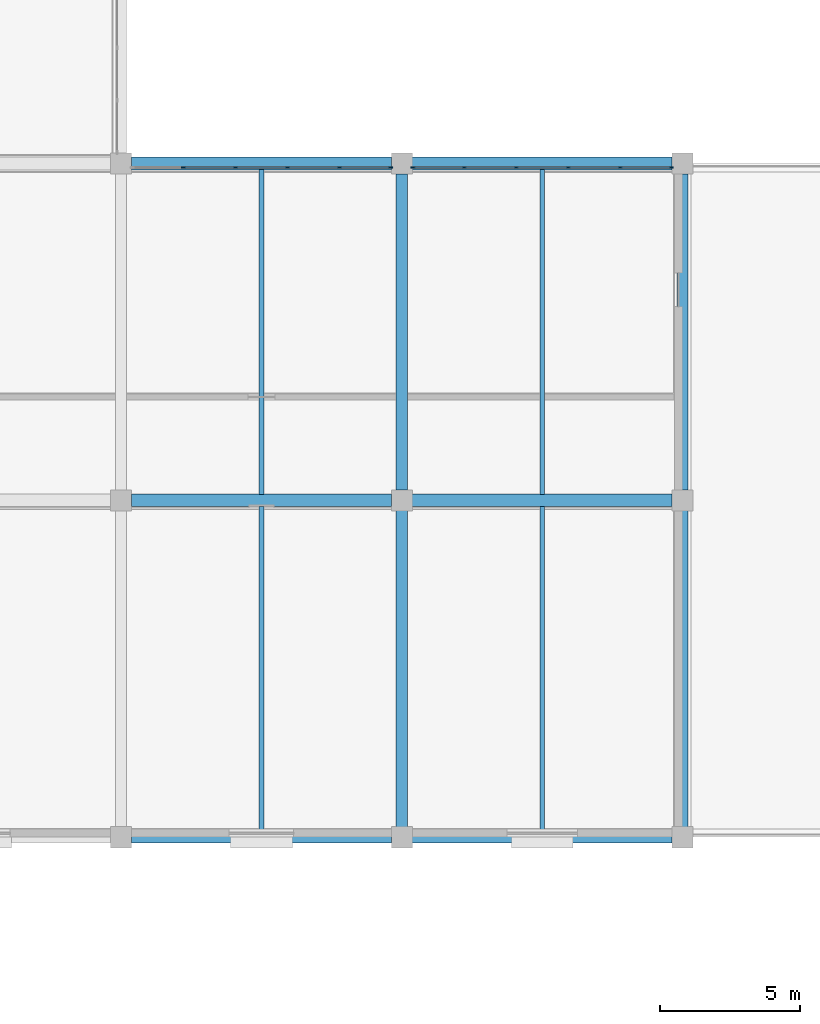
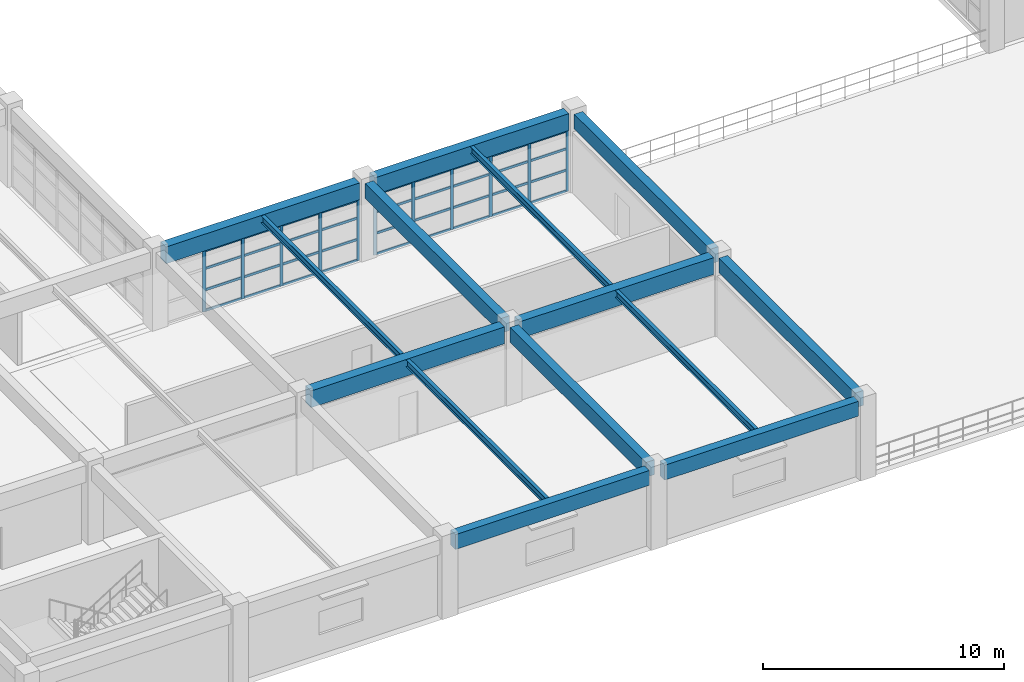
# One storey, part 35 of 83: 47 members, 14 beams, 2 elements without a shape of their own.
"""IFC4 building model written with IfcOpenShell, lengths in metres."""

from ifc_helpers import new_model, si_unit, direction, frame, origin, origin_2d, place, context, subcontext, project, spatial, rectangle, i_section, extrude, material, layer, layer_set, material_profile, profile_set, type_object, element, aggregate, save


model = new_model("IFC4")

# Units and contexts
model_context = context("Model", 3, precision=1e-05, world=origin(), true_north=direction((0.0, 1.0)))
body_context = subcontext(model_context, "Body", "Model", "MODEL_VIEW")
ifc_project = project(units=[si_unit("LENGTHUNIT", "METRE"), si_unit("AREAUNIT", "SQUARE_METRE"), si_unit("VOLUMEUNIT", "CUBIC_METRE"), si_unit("PLANEANGLEUNIT", "RADIAN"), si_unit("MASSUNIT", "GRAM", prefix="KILO")], contexts=[model_context])

# Site, building, storey
site_placement = place(None, origin())
site = spatial("IfcSite", under=ifc_project, at=site_placement, CompositionType="ELEMENT")
building_placement = place(site_placement, origin())
building = spatial("IfcBuilding", under=site, at=building_placement, Name="Kivolera Central Railway Station", CompositionType="ELEMENT")
storey_placement = place(building_placement, frame((0.0, 0.0, 14.39990234375)))
storey = spatial("IfcBuildingStorey", under=building, at=storey_placement, Name="L03", CompositionType="ELEMENT", Elevation=14.39990234375)

# Beams
ifc_material_1 = material(Name="Steel S355", Category="steel")
ifc_material_profile_1 = material_profile(ifc_material_1, i_section(OverallWidth=0.169921875, OverallDepth=0.360107421875, WebThickness=0.008056640625, FlangeThickness=0.0126953125, FilletRadius=0.01806640625, at=origin_2d()), Name="IPE 360")
ifc_profile_set_1 = profile_set([ifc_material_profile_1], Name="Steel S355")
beam_type_1 = type_object("IfcBeamType", Name="BM-JST-IPE360", PredefinedType="JOIST", material=ifc_profile_set_1)
beam_1_placement = place(storey_placement, frame((143.0, 54.19189453125, 3.748046875), z_axis=(0.0, 1.0, 0.0), x_axis=(-1.0, 0.0, 0.0)))
element("IfcBeam", 1, at=beam_1_placement, inside=storey, type_object=beam_type_1, Name="L03 Floor Joist 14-15/E-F", PredefinedType="JOIST", context=body_context, shape_type="SweptSolid", body=[
    extrude(i_section(OverallWidth=0.169921875, OverallDepth=0.360107421875, WebThickness=0.008056640625, FlangeThickness=0.0126953125, FilletRadius=0.01806640625, at=origin_2d()), origin(), (0.0, 0.0, 1.0), 11.591064453125),
])
beam_2_placement = place(storey_placement, frame((143.0, 66.217041015625, 3.748046875), z_axis=(0.0, 1.0, 0.0), x_axis=(-1.0, 0.0, 0.0)))
element("IfcBeam", 2, at=beam_2_placement, inside=storey, type_object=beam_type_1, Name="L03 Floor Joist 14-15/F-G", PredefinedType="JOIST", context=body_context, shape_type="SweptSolid", body=[
    extrude(i_section(OverallWidth=0.169921875, OverallDepth=0.360107421875, WebThickness=0.008056640625, FlangeThickness=0.0126953125, FilletRadius=0.01806640625, at=origin_2d()), origin(), (0.0, 0.0, 1.0), 11.56591796875),
])
beam_3_placement = place(storey_placement, frame((153.0, 54.19189453125, 3.748046875), z_axis=(0.0, 1.0, 0.0), x_axis=(-1.0, 0.0, 0.0)))
element("IfcBeam", 3, at=beam_3_placement, inside=storey, type_object=beam_type_1, Name="L03 Floor Joist 15-16/E-F", PredefinedType="JOIST", context=body_context, shape_type="SweptSolid", body=[
    extrude(i_section(OverallWidth=0.169921875, OverallDepth=0.360107421875, WebThickness=0.008056640625, FlangeThickness=0.0126953125, FilletRadius=0.01806640625, at=origin_2d()), origin(), (0.0, 0.0, 1.0), 11.591064453125),
])
beam_4_placement = place(storey_placement, frame((153.0, 66.217041015625, 3.748046875), z_axis=(0.0, 1.0, 0.0), x_axis=(-1.0, 0.0, 0.0)))
element("IfcBeam", 4, at=beam_4_placement, inside=storey, type_object=beam_type_1, Name="L03 Floor Joist 15-16/F-G", PredefinedType="JOIST", context=body_context, shape_type="SweptSolid", body=[
    extrude(i_section(OverallWidth=0.169921875, OverallDepth=0.360107421875, WebThickness=0.008056640625, FlangeThickness=0.0126953125, FilletRadius=0.01806640625, at=origin_2d()), origin(), (0.0, 0.0, 1.0), 11.56591796875),
])
ifc_material_2 = material(Name="Concrete C40/50", Category="concrete")
ifc_material_profile_2 = material_profile(ifc_material_2, rectangle(XDim=0.39990234375, YDim=0.75, at=origin_2d()), Name="RC 400x750")
ifc_profile_set_2 = profile_set([ifc_material_profile_2], Name="Concrete C40/50")
beam_type_2 = type_object("IfcBeamType", Name="BM-RC-400x750", PredefinedType="BEAM", material=ifc_profile_set_2)
for number, where, z_axis, x_axis, name in (
    (5, (148.0, 54.366943359375, 3.565185546875), (0.0, 1.0, 0.0), (-1.0, 0.0, 0.0), "L03 Wing Y-Beam 15:E-F"),
    (6, (148.0, 66.366943359375, 3.565185546875), (0.0, 1.0, 0.0), (-1.0, 0.0, 0.0), "L03 Wing Y-Beam 15:F-G"),
    (7, (158.0, 54.366943359375, 3.565185546875), (0.0, 1.0, 0.0), (-1.0, 0.0, 0.0), "L03 Wing Y-Beam 16:E-F"),
    (8, (158.0, 66.366943359375, 3.565185546875), (0.0, 1.0, 0.0), (-1.0, 0.0, 0.0), "L03 Wing Y-Beam 16:F-G"),
):
    element("IfcBeam", number, at=place(storey_placement, frame(where, z_axis=z_axis, x_axis=x_axis)), inside=storey, type_object=beam_type_2, Name=name, PredefinedType="BEAM", context=body_context, shape_type="SweptSolid", body=[
        extrude(rectangle(XDim=0.39990234375, YDim=0.75, at=origin_2d()), origin(), (0.0, 0.0, 1.0), 11.26611328125),
    ])
ifc_material_profile_3 = material_profile(ifc_material_2, rectangle(XDim=0.449951171875, YDim=0.85009765625, at=origin_2d()), Name="RC 450x850")
ifc_profile_set_3 = profile_set([ifc_material_profile_3], Name="Concrete C40/50")
beam_type_3 = type_object("IfcBeamType", Name="BM-RC-450x850", PredefinedType="BEAM", material=ifc_profile_set_3)
for number, where, z_axis, x_axis, name in (
    (9, (138.366943359375, 66.0, 3.51513671875), (1.0, 0.0, 0.0), (0.0, 1.0, 0.0), "L03 Wing X-Beam F:14-15"),
    (10, (148.366943359375, 66.0, 3.51513671875), (1.0, 0.0, 0.0), (0.0, 1.0, 0.0), "L03 Wing X-Beam F:15-16"),
    (11, (138.366943359375, 78.0, 3.51513671875), (1.0, 0.0, 0.0), (0.0, 1.0, 0.0), "L03 Wing X-Beam G:14-15"),
    (12, (148.366943359375, 78.0, 3.51513671875), (1.0, 0.0, 0.0), (0.0, 1.0, 0.0), "L03 Wing X-Beam G:15-16"),
):
    element("IfcBeam", number, at=place(storey_placement, frame(where, z_axis=z_axis, x_axis=x_axis)), inside=storey, type_object=beam_type_3, Name=name, PredefinedType="BEAM", context=body_context, shape_type="SweptSolid", body=[
        extrude(rectangle(XDim=0.449951171875, YDim=0.85009765625, at=origin_2d()), origin(), (0.0, 0.0, 1.0), 9.26611328125),
    ])
ifc_material_profile_4 = material_profile(ifc_material_2, rectangle(XDim=0.39990234375, YDim=0.75, at=origin_2d()), Name="RC 400x750")
ifc_profile_set_4 = profile_set([ifc_material_profile_4], Name="Concrete C40/50")
beam_type_4 = type_object("IfcBeamType", Name="BM-SPN-RC750", PredefinedType="SPANDREL", material=ifc_profile_set_4)
for number, where, z_axis, x_axis, name in (
    (13, (138.366943359375, 54.0, 3.565185546875), (1.0, 0.0, 0.0), (0.0, 1.0, 0.0), "L03 Wing X-Beam E:14-15"),
    (14, (148.366943359375, 54.0, 3.565185546875), (1.0, 0.0, 0.0), (0.0, 1.0, 0.0), "L03 Wing X-Beam E:15-16"),
):
    element("IfcBeam", number, at=place(storey_placement, frame(where, z_axis=z_axis, x_axis=x_axis)), inside=storey, type_object=beam_type_4, Name=name, PredefinedType="SPANDREL", context=body_context, shape_type="SweptSolid", body=[
        extrude(rectangle(XDim=0.39990234375, YDim=0.75, at=origin_2d()), origin(), (0.0, 0.0, 1.0), 9.26611328125),
    ])

# Curtain wall, members
ifc_material_3 = material(Name="Anodised aluminium", Category="aluminium")
ifc_layer = layer(ifc_material_3, 0.179931640625, Name="Anodised aluminium")
ifc_layer_set = layer_set([ifc_layer], Name="Anodised aluminium")
curtain_wall_type = type_object("IfcCurtainWallType", Name="CW-SYS-29", PredefinedType="NOTDEFINED", material=ifc_layer_set)
curtain_wall_1_placement = place(storey_placement, origin())
curtain_wall_1 = element("IfcCurtainWall", 15, at=curtain_wall_1_placement, inside=storey, type_object=curtain_wall_type, Name="L03 Curtain Wall CW-L03-CRTS-138", PredefinedType="NOTDEFINED")
ifc_material_profile_5 = material_profile(ifc_material_3, rectangle(XDim=0.06005859375, YDim=0.14990234375, at=origin_2d()), Name="ALU MULL 60x150")
ifc_profile_set_5 = profile_set([ifc_material_profile_5], Name="Anodised aluminium")
member_type_1 = type_object("IfcMemberType", Name="CWM-MUL-2", PredefinedType="MULLION", material=ifc_profile_set_5)
member_1_placement = place(storey_placement, frame((140.221923828125, 77.85498046875, -0.0048828125), z_axis=(0.0, 0.0, 1.0), x_axis=(0.0, 1.0, 0.0)))
member_1 = element("IfcMember", 16, at=member_1_placement, type_object=member_type_1, Name="CW-29 mullion 2", PredefinedType="MULLION", context=body_context, shape_type="SweptSolid", body=[
    extrude(rectangle(XDim=0.06005859375, YDim=0.14990234375, at=origin_2d()), origin(), (0.0, 0.0, 1.0), 3.0830078125),
])
member_2_placement = place(storey_placement, frame((142.073974609375, 77.85498046875, -0.0048828125), z_axis=(0.0, 0.0, 1.0), x_axis=(0.0, 1.0, 0.0)))
member_2 = element("IfcMember", 17, at=member_2_placement, type_object=member_type_1, Name="CW-29 mullion 3", PredefinedType="MULLION", context=body_context, shape_type="SweptSolid", body=[
    extrude(rectangle(XDim=0.06005859375, YDim=0.14990234375, at=origin_2d()), origin(), (0.0, 0.0, 1.0), 3.0830078125),
])
member_3_placement = place(storey_placement, frame((143.926025390625, 77.85498046875, -0.0048828125), z_axis=(0.0, 0.0, 1.0), x_axis=(0.0, 1.0, 0.0)))
member_3 = element("IfcMember", 18, at=member_3_placement, type_object=member_type_1, Name="CW-29 mullion 4", PredefinedType="MULLION", context=body_context, shape_type="SweptSolid", body=[
    extrude(rectangle(XDim=0.06005859375, YDim=0.14990234375, at=origin_2d()), origin(), (0.0, 0.0, 1.0), 3.0830078125),
])
member_4_placement = place(storey_placement, frame((145.778076171875, 77.85498046875, -0.0048828125), z_axis=(0.0, 0.0, 1.0), x_axis=(0.0, 1.0, 0.0)))
member_4 = element("IfcMember", 19, at=member_4_placement, type_object=member_type_1, Name="CW-29 mullion 5", PredefinedType="MULLION", context=body_context, shape_type="SweptSolid", body=[
    extrude(rectangle(XDim=0.06005859375, YDim=0.14990234375, at=origin_2d()), origin(), (0.0, 0.0, 1.0), 3.0830078125),
])
member_5_placement = place(storey_placement, frame((147.60009765625, 77.85498046875, -0.0048828125), z_axis=(0.0, 0.0, 1.0), x_axis=(0.0, 1.0, 0.0)))
member_5 = element("IfcMember", 20, at=member_5_placement, type_object=member_type_1, Name="CW-29 mullion 6", PredefinedType="MULLION", context=body_context, shape_type="SweptSolid", body=[
    extrude(rectangle(XDim=0.06005859375, YDim=0.14990234375, at=origin_2d()), origin(), (0.0, 0.0, 1.0), 3.0830078125),
])

curtain_wall_2_placement = place(storey_placement, origin())
curtain_wall_2 = element("IfcCurtainWall", 21, at=curtain_wall_2_placement, inside=storey, type_object=curtain_wall_type, Name="L03 Curtain Wall CW-L03-CRTS-148", PredefinedType="NOTDEFINED")
member_6_placement = place(storey_placement, frame((148.39990234375, 77.85498046875, -0.0048828125), z_axis=(0.0, 0.0, 1.0), x_axis=(0.0, 1.0, 0.0)))
member_6 = element("IfcMember", 22, at=member_6_placement, type_object=member_type_1, Name="CW-29 mullion 1", PredefinedType="MULLION", context=body_context, shape_type="SweptSolid", body=[
    extrude(rectangle(XDim=0.06005859375, YDim=0.14990234375, at=origin_2d()), origin(), (0.0, 0.0, 1.0), 3.0830078125),
])
member_7_placement = place(storey_placement, frame((150.221923828125, 77.85498046875, -0.0048828125), z_axis=(0.0, 0.0, 1.0), x_axis=(0.0, 1.0, 0.0)))
member_7 = element("IfcMember", 23, at=member_7_placement, type_object=member_type_1, Name="CW-29 mullion 2", PredefinedType="MULLION", context=body_context, shape_type="SweptSolid", body=[
    extrude(rectangle(XDim=0.06005859375, YDim=0.14990234375, at=origin_2d()), origin(), (0.0, 0.0, 1.0), 3.0830078125),
])
member_8_placement = place(storey_placement, frame((152.073974609375, 77.85498046875, -0.0048828125), z_axis=(0.0, 0.0, 1.0), x_axis=(0.0, 1.0, 0.0)))
member_8 = element("IfcMember", 24, at=member_8_placement, type_object=member_type_1, Name="CW-29 mullion 3", PredefinedType="MULLION", context=body_context, shape_type="SweptSolid", body=[
    extrude(rectangle(XDim=0.06005859375, YDim=0.14990234375, at=origin_2d()), origin(), (0.0, 0.0, 1.0), 3.0830078125),
])
member_9_placement = place(storey_placement, frame((153.926025390625, 77.85498046875, -0.0048828125), z_axis=(0.0, 0.0, 1.0), x_axis=(0.0, 1.0, 0.0)))
member_9 = element("IfcMember", 25, at=member_9_placement, type_object=member_type_1, Name="CW-29 mullion 4", PredefinedType="MULLION", context=body_context, shape_type="SweptSolid", body=[
    extrude(rectangle(XDim=0.06005859375, YDim=0.14990234375, at=origin_2d()), origin(), (0.0, 0.0, 1.0), 3.0830078125),
])
member_10_placement = place(storey_placement, frame((155.778076171875, 77.85498046875, -0.0048828125), z_axis=(0.0, 0.0, 1.0), x_axis=(0.0, 1.0, 0.0)))
member_10 = element("IfcMember", 26, at=member_10_placement, type_object=member_type_1, Name="CW-29 mullion 5", PredefinedType="MULLION", context=body_context, shape_type="SweptSolid", body=[
    extrude(rectangle(XDim=0.06005859375, YDim=0.14990234375, at=origin_2d()), origin(), (0.0, 0.0, 1.0), 3.0830078125),
])
member_11_placement = place(storey_placement, frame((157.60009765625, 77.85498046875, -0.0048828125), z_axis=(0.0, 0.0, 1.0), x_axis=(0.0, 1.0, 0.0)))
member_11 = element("IfcMember", 27, at=member_11_placement, type_object=member_type_1, Name="CW-29 mullion 6", PredefinedType="MULLION", context=body_context, shape_type="SweptSolid", body=[
    extrude(rectangle(XDim=0.06005859375, YDim=0.14990234375, at=origin_2d()), origin(), (0.0, 0.0, 1.0), 3.0830078125),
])

# Member
ifc_material_profile_6 = material_profile(ifc_material_3, rectangle(XDim=0.06005859375, YDim=0.1201171875, at=origin_2d()), Name="ALU TRAN 60x120")
ifc_profile_set_6 = profile_set([ifc_material_profile_6], Name="Anodised aluminium")
member_type_2 = type_object("IfcMemberType", Name="CWM-TRN-2", PredefinedType="USERDEFINED", material=ifc_profile_set_6)
member_12_placement = place(storey_placement, frame((140.251953125, 77.85498046875, 0.030029296875), z_axis=(1.0, 0.0, 0.0), x_axis=(0.0, 1.0, 0.0)))
member_12 = element("IfcMember", 28, at=member_12_placement, type_object=member_type_2, Name="CW-29 transom 2.1", ObjectType="TRANSOM", PredefinedType="USERDEFINED", context=body_context, shape_type="SweptSolid", body=[
    extrude(rectangle(XDim=0.06005859375, YDim=0.1201171875, at=origin_2d()), origin(), (0.0, 0.0, 1.0), 1.7919921875),
])

member_13_placement = place(storey_placement, frame((140.251953125, 77.85498046875, 1.077392578125), z_axis=(1.0, 0.0, 0.0), x_axis=(0.0, 1.0, 0.0)))
member_13 = element("IfcMember", 29, at=member_13_placement, type_object=member_type_2, Name="CW-29 transom 2.2", ObjectType="TRANSOM", PredefinedType="USERDEFINED", context=body_context, shape_type="SweptSolid", body=[
    extrude(rectangle(XDim=0.06005859375, YDim=0.1201171875, at=origin_2d()), origin(), (0.0, 0.0, 1.0), 1.7919921875),
])

member_14_placement = place(storey_placement, frame((140.251953125, 77.85498046875, 2.15478515625), z_axis=(1.0, 0.0, 0.0), x_axis=(0.0, 1.0, 0.0)))
member_14 = element("IfcMember", 30, at=member_14_placement, type_object=member_type_2, Name="CW-29 transom 2.3", ObjectType="TRANSOM", PredefinedType="USERDEFINED", context=body_context, shape_type="SweptSolid", body=[
    extrude(rectangle(XDim=0.06005859375, YDim=0.1201171875, at=origin_2d()), origin(), (0.0, 0.0, 1.0), 1.7919921875),
])

member_15_placement = place(storey_placement, frame((140.251953125, 77.85498046875, 3.048095703125), z_axis=(1.0, 0.0, 0.0), x_axis=(0.0, 1.0, 0.0)))
member_15 = element("IfcMember", 31, at=member_15_placement, type_object=member_type_2, Name="CW-29 transom 2.4", ObjectType="TRANSOM", PredefinedType="USERDEFINED", context=body_context, shape_type="SweptSolid", body=[
    extrude(rectangle(XDim=0.06005859375, YDim=0.1201171875, at=origin_2d()), origin(), (0.0, 0.0, 1.0), 1.7919921875),
])

member_16_placement = place(storey_placement, frame((142.10400390625, 77.85498046875, 0.030029296875), z_axis=(1.0, 0.0, 0.0), x_axis=(0.0, 1.0, 0.0)))
member_16 = element("IfcMember", 32, at=member_16_placement, type_object=member_type_2, Name="CW-29 transom 3.1", ObjectType="TRANSOM", PredefinedType="USERDEFINED", context=body_context, shape_type="SweptSolid", body=[
    extrude(rectangle(XDim=0.06005859375, YDim=0.1201171875, at=origin_2d()), origin(), (0.0, 0.0, 1.0), 1.7919921875),
])

member_17_placement = place(storey_placement, frame((142.10400390625, 77.85498046875, 1.077392578125), z_axis=(1.0, 0.0, 0.0), x_axis=(0.0, 1.0, 0.0)))
member_17 = element("IfcMember", 33, at=member_17_placement, type_object=member_type_2, Name="CW-29 transom 3.2", ObjectType="TRANSOM", PredefinedType="USERDEFINED", context=body_context, shape_type="SweptSolid", body=[
    extrude(rectangle(XDim=0.06005859375, YDim=0.1201171875, at=origin_2d()), origin(), (0.0, 0.0, 1.0), 1.7919921875),
])

member_18_placement = place(storey_placement, frame((142.10400390625, 77.85498046875, 2.15478515625), z_axis=(1.0, 0.0, 0.0), x_axis=(0.0, 1.0, 0.0)))
member_18 = element("IfcMember", 34, at=member_18_placement, type_object=member_type_2, Name="CW-29 transom 3.3", ObjectType="TRANSOM", PredefinedType="USERDEFINED", context=body_context, shape_type="SweptSolid", body=[
    extrude(rectangle(XDim=0.06005859375, YDim=0.1201171875, at=origin_2d()), origin(), (0.0, 0.0, 1.0), 1.7919921875),
])

member_19_placement = place(storey_placement, frame((142.10400390625, 77.85498046875, 3.048095703125), z_axis=(1.0, 0.0, 0.0), x_axis=(0.0, 1.0, 0.0)))
member_19 = element("IfcMember", 35, at=member_19_placement, type_object=member_type_2, Name="CW-29 transom 3.4", ObjectType="TRANSOM", PredefinedType="USERDEFINED", context=body_context, shape_type="SweptSolid", body=[
    extrude(rectangle(XDim=0.06005859375, YDim=0.1201171875, at=origin_2d()), origin(), (0.0, 0.0, 1.0), 1.7919921875),
])

member_20_placement = place(storey_placement, frame((143.9560546875, 77.85498046875, 0.030029296875), z_axis=(1.0, 0.0, 0.0), x_axis=(0.0, 1.0, 0.0)))
member_20 = element("IfcMember", 36, at=member_20_placement, type_object=member_type_2, Name="CW-29 transom 4.1", ObjectType="TRANSOM", PredefinedType="USERDEFINED", context=body_context, shape_type="SweptSolid", body=[
    extrude(rectangle(XDim=0.06005859375, YDim=0.1201171875, at=origin_2d()), origin(), (0.0, 0.0, 1.0), 1.7919921875),
])

member_21_placement = place(storey_placement, frame((143.9560546875, 77.85498046875, 1.077392578125), z_axis=(1.0, 0.0, 0.0), x_axis=(0.0, 1.0, 0.0)))
member_21 = element("IfcMember", 37, at=member_21_placement, type_object=member_type_2, Name="CW-29 transom 4.2", ObjectType="TRANSOM", PredefinedType="USERDEFINED", context=body_context, shape_type="SweptSolid", body=[
    extrude(rectangle(XDim=0.06005859375, YDim=0.1201171875, at=origin_2d()), origin(), (0.0, 0.0, 1.0), 1.7919921875),
])

member_22_placement = place(storey_placement, frame((143.9560546875, 77.85498046875, 2.15478515625), z_axis=(1.0, 0.0, 0.0), x_axis=(0.0, 1.0, 0.0)))
member_22 = element("IfcMember", 38, at=member_22_placement, type_object=member_type_2, Name="CW-29 transom 4.3", ObjectType="TRANSOM", PredefinedType="USERDEFINED", context=body_context, shape_type="SweptSolid", body=[
    extrude(rectangle(XDim=0.06005859375, YDim=0.1201171875, at=origin_2d()), origin(), (0.0, 0.0, 1.0), 1.7919921875),
])

member_23_placement = place(storey_placement, frame((143.9560546875, 77.85498046875, 3.048095703125), z_axis=(1.0, 0.0, 0.0), x_axis=(0.0, 1.0, 0.0)))
member_23 = element("IfcMember", 39, at=member_23_placement, type_object=member_type_2, Name="CW-29 transom 4.4", ObjectType="TRANSOM", PredefinedType="USERDEFINED", context=body_context, shape_type="SweptSolid", body=[
    extrude(rectangle(XDim=0.06005859375, YDim=0.1201171875, at=origin_2d()), origin(), (0.0, 0.0, 1.0), 1.7919921875),
])

member_24_placement = place(storey_placement, frame((145.80810546875, 77.85498046875, 0.030029296875), z_axis=(1.0, 0.0, 0.0), x_axis=(0.0, 1.0, 0.0)))
member_24 = element("IfcMember", 40, at=member_24_placement, type_object=member_type_2, Name="CW-29 transom 5.1", ObjectType="TRANSOM", PredefinedType="USERDEFINED", context=body_context, shape_type="SweptSolid", body=[
    extrude(rectangle(XDim=0.06005859375, YDim=0.1201171875, at=origin_2d()), origin(), (0.0, 0.0, 1.0), 1.761962890625),
])

member_25_placement = place(storey_placement, frame((145.80810546875, 77.85498046875, 1.077392578125), z_axis=(1.0, 0.0, 0.0), x_axis=(0.0, 1.0, 0.0)))
member_25 = element("IfcMember", 41, at=member_25_placement, type_object=member_type_2, Name="CW-29 transom 5.2", ObjectType="TRANSOM", PredefinedType="USERDEFINED", context=body_context, shape_type="SweptSolid", body=[
    extrude(rectangle(XDim=0.06005859375, YDim=0.1201171875, at=origin_2d()), origin(), (0.0, 0.0, 1.0), 1.761962890625),
])

member_26_placement = place(storey_placement, frame((145.80810546875, 77.85498046875, 2.15478515625), z_axis=(1.0, 0.0, 0.0), x_axis=(0.0, 1.0, 0.0)))
member_26 = element("IfcMember", 42, at=member_26_placement, type_object=member_type_2, Name="CW-29 transom 5.3", ObjectType="TRANSOM", PredefinedType="USERDEFINED", context=body_context, shape_type="SweptSolid", body=[
    extrude(rectangle(XDim=0.06005859375, YDim=0.1201171875, at=origin_2d()), origin(), (0.0, 0.0, 1.0), 1.761962890625),
])

member_27_placement = place(storey_placement, frame((145.80810546875, 77.85498046875, 3.048095703125), z_axis=(1.0, 0.0, 0.0), x_axis=(0.0, 1.0, 0.0)))
member_27 = element("IfcMember", 43, at=member_27_placement, type_object=member_type_2, Name="CW-29 transom 5.4", ObjectType="TRANSOM", PredefinedType="USERDEFINED", context=body_context, shape_type="SweptSolid", body=[
    extrude(rectangle(XDim=0.06005859375, YDim=0.1201171875, at=origin_2d()), origin(), (0.0, 0.0, 1.0), 1.761962890625),
])

aggregate(curtain_wall_1, [member_1, member_2, member_3, member_4, member_5, member_12, member_13, member_14, member_15, member_16, member_17, member_18, member_19, member_20, member_21, member_22, member_23, member_24, member_25, member_26, member_27])

member_28_placement = place(storey_placement, frame((148.429931640625, 77.85498046875, 0.030029296875), z_axis=(1.0, 0.0, 0.0), x_axis=(0.0, 1.0, 0.0)))
member_28 = element("IfcMember", 44, at=member_28_placement, type_object=member_type_2, Name="CW-29 transom 1.1", ObjectType="TRANSOM", PredefinedType="USERDEFINED", context=body_context, shape_type="SweptSolid", body=[
    extrude(rectangle(XDim=0.06005859375, YDim=0.1201171875, at=origin_2d()), origin(), (0.0, 0.0, 1.0), 1.761962890625),
])

member_29_placement = place(storey_placement, frame((148.429931640625, 77.85498046875, 1.077392578125), z_axis=(1.0, 0.0, 0.0), x_axis=(0.0, 1.0, 0.0)))
member_29 = element("IfcMember", 45, at=member_29_placement, type_object=member_type_2, Name="CW-29 transom 1.2", ObjectType="TRANSOM", PredefinedType="USERDEFINED", context=body_context, shape_type="SweptSolid", body=[
    extrude(rectangle(XDim=0.06005859375, YDim=0.1201171875, at=origin_2d()), origin(), (0.0, 0.0, 1.0), 1.761962890625),
])

member_30_placement = place(storey_placement, frame((148.429931640625, 77.85498046875, 2.15478515625), z_axis=(1.0, 0.0, 0.0), x_axis=(0.0, 1.0, 0.0)))
member_30 = element("IfcMember", 46, at=member_30_placement, type_object=member_type_2, Name="CW-29 transom 1.3", ObjectType="TRANSOM", PredefinedType="USERDEFINED", context=body_context, shape_type="SweptSolid", body=[
    extrude(rectangle(XDim=0.06005859375, YDim=0.1201171875, at=origin_2d()), origin(), (0.0, 0.0, 1.0), 1.761962890625),
])

member_31_placement = place(storey_placement, frame((148.429931640625, 77.85498046875, 3.048095703125), z_axis=(1.0, 0.0, 0.0), x_axis=(0.0, 1.0, 0.0)))
member_31 = element("IfcMember", 47, at=member_31_placement, type_object=member_type_2, Name="CW-29 transom 1.4", ObjectType="TRANSOM", PredefinedType="USERDEFINED", context=body_context, shape_type="SweptSolid", body=[
    extrude(rectangle(XDim=0.06005859375, YDim=0.1201171875, at=origin_2d()), origin(), (0.0, 0.0, 1.0), 1.761962890625),
])

member_32_placement = place(storey_placement, frame((150.251953125, 77.85498046875, 0.030029296875), z_axis=(1.0, 0.0, 0.0), x_axis=(0.0, 1.0, 0.0)))
member_32 = element("IfcMember", 48, at=member_32_placement, type_object=member_type_2, Name="CW-29 transom 2.1", ObjectType="TRANSOM", PredefinedType="USERDEFINED", context=body_context, shape_type="SweptSolid", body=[
    extrude(rectangle(XDim=0.06005859375, YDim=0.1201171875, at=origin_2d()), origin(), (0.0, 0.0, 1.0), 1.7919921875),
])

member_33_placement = place(storey_placement, frame((150.251953125, 77.85498046875, 1.077392578125), z_axis=(1.0, 0.0, 0.0), x_axis=(0.0, 1.0, 0.0)))
member_33 = element("IfcMember", 49, at=member_33_placement, type_object=member_type_2, Name="CW-29 transom 2.2", ObjectType="TRANSOM", PredefinedType="USERDEFINED", context=body_context, shape_type="SweptSolid", body=[
    extrude(rectangle(XDim=0.06005859375, YDim=0.1201171875, at=origin_2d()), origin(), (0.0, 0.0, 1.0), 1.7919921875),
])

member_34_placement = place(storey_placement, frame((150.251953125, 77.85498046875, 2.15478515625), z_axis=(1.0, 0.0, 0.0), x_axis=(0.0, 1.0, 0.0)))
member_34 = element("IfcMember", 50, at=member_34_placement, type_object=member_type_2, Name="CW-29 transom 2.3", ObjectType="TRANSOM", PredefinedType="USERDEFINED", context=body_context, shape_type="SweptSolid", body=[
    extrude(rectangle(XDim=0.06005859375, YDim=0.1201171875, at=origin_2d()), origin(), (0.0, 0.0, 1.0), 1.7919921875),
])

member_35_placement = place(storey_placement, frame((150.251953125, 77.85498046875, 3.048095703125), z_axis=(1.0, 0.0, 0.0), x_axis=(0.0, 1.0, 0.0)))
member_35 = element("IfcMember", 51, at=member_35_placement, type_object=member_type_2, Name="CW-29 transom 2.4", ObjectType="TRANSOM", PredefinedType="USERDEFINED", context=body_context, shape_type="SweptSolid", body=[
    extrude(rectangle(XDim=0.06005859375, YDim=0.1201171875, at=origin_2d()), origin(), (0.0, 0.0, 1.0), 1.7919921875),
])

member_36_placement = place(storey_placement, frame((152.10400390625, 77.85498046875, 0.030029296875), z_axis=(1.0, 0.0, 0.0), x_axis=(0.0, 1.0, 0.0)))
member_36 = element("IfcMember", 52, at=member_36_placement, type_object=member_type_2, Name="CW-29 transom 3.1", ObjectType="TRANSOM", PredefinedType="USERDEFINED", context=body_context, shape_type="SweptSolid", body=[
    extrude(rectangle(XDim=0.06005859375, YDim=0.1201171875, at=origin_2d()), origin(), (0.0, 0.0, 1.0), 1.7919921875),
])

member_37_placement = place(storey_placement, frame((152.10400390625, 77.85498046875, 1.077392578125), z_axis=(1.0, 0.0, 0.0), x_axis=(0.0, 1.0, 0.0)))
member_37 = element("IfcMember", 53, at=member_37_placement, type_object=member_type_2, Name="CW-29 transom 3.2", ObjectType="TRANSOM", PredefinedType="USERDEFINED", context=body_context, shape_type="SweptSolid", body=[
    extrude(rectangle(XDim=0.06005859375, YDim=0.1201171875, at=origin_2d()), origin(), (0.0, 0.0, 1.0), 1.7919921875),
])

member_38_placement = place(storey_placement, frame((152.10400390625, 77.85498046875, 2.15478515625), z_axis=(1.0, 0.0, 0.0), x_axis=(0.0, 1.0, 0.0)))
member_38 = element("IfcMember", 54, at=member_38_placement, type_object=member_type_2, Name="CW-29 transom 3.3", ObjectType="TRANSOM", PredefinedType="USERDEFINED", context=body_context, shape_type="SweptSolid", body=[
    extrude(rectangle(XDim=0.06005859375, YDim=0.1201171875, at=origin_2d()), origin(), (0.0, 0.0, 1.0), 1.7919921875),
])

member_39_placement = place(storey_placement, frame((152.10400390625, 77.85498046875, 3.048095703125), z_axis=(1.0, 0.0, 0.0), x_axis=(0.0, 1.0, 0.0)))
member_39 = element("IfcMember", 55, at=member_39_placement, type_object=member_type_2, Name="CW-29 transom 3.4", ObjectType="TRANSOM", PredefinedType="USERDEFINED", context=body_context, shape_type="SweptSolid", body=[
    extrude(rectangle(XDim=0.06005859375, YDim=0.1201171875, at=origin_2d()), origin(), (0.0, 0.0, 1.0), 1.7919921875),
])

member_40_placement = place(storey_placement, frame((153.9560546875, 77.85498046875, 0.030029296875), z_axis=(1.0, 0.0, 0.0), x_axis=(0.0, 1.0, 0.0)))
member_40 = element("IfcMember", 56, at=member_40_placement, type_object=member_type_2, Name="CW-29 transom 4.1", ObjectType="TRANSOM", PredefinedType="USERDEFINED", context=body_context, shape_type="SweptSolid", body=[
    extrude(rectangle(XDim=0.06005859375, YDim=0.1201171875, at=origin_2d()), origin(), (0.0, 0.0, 1.0), 1.7919921875),
])

member_41_placement = place(storey_placement, frame((153.9560546875, 77.85498046875, 1.077392578125), z_axis=(1.0, 0.0, 0.0), x_axis=(0.0, 1.0, 0.0)))
member_41 = element("IfcMember", 57, at=member_41_placement, type_object=member_type_2, Name="CW-29 transom 4.2", ObjectType="TRANSOM", PredefinedType="USERDEFINED", context=body_context, shape_type="SweptSolid", body=[
    extrude(rectangle(XDim=0.06005859375, YDim=0.1201171875, at=origin_2d()), origin(), (0.0, 0.0, 1.0), 1.7919921875),
])

member_42_placement = place(storey_placement, frame((153.9560546875, 77.85498046875, 2.15478515625), z_axis=(1.0, 0.0, 0.0), x_axis=(0.0, 1.0, 0.0)))
member_42 = element("IfcMember", 58, at=member_42_placement, type_object=member_type_2, Name="CW-29 transom 4.3", ObjectType="TRANSOM", PredefinedType="USERDEFINED", context=body_context, shape_type="SweptSolid", body=[
    extrude(rectangle(XDim=0.06005859375, YDim=0.1201171875, at=origin_2d()), origin(), (0.0, 0.0, 1.0), 1.7919921875),
])

member_43_placement = place(storey_placement, frame((153.9560546875, 77.85498046875, 3.048095703125), z_axis=(1.0, 0.0, 0.0), x_axis=(0.0, 1.0, 0.0)))
member_43 = element("IfcMember", 59, at=member_43_placement, type_object=member_type_2, Name="CW-29 transom 4.4", ObjectType="TRANSOM", PredefinedType="USERDEFINED", context=body_context, shape_type="SweptSolid", body=[
    extrude(rectangle(XDim=0.06005859375, YDim=0.1201171875, at=origin_2d()), origin(), (0.0, 0.0, 1.0), 1.7919921875),
])

member_44_placement = place(storey_placement, frame((155.80810546875, 77.85498046875, 0.030029296875), z_axis=(1.0, 0.0, 0.0), x_axis=(0.0, 1.0, 0.0)))
member_44 = element("IfcMember", 60, at=member_44_placement, type_object=member_type_2, Name="CW-29 transom 5.1", ObjectType="TRANSOM", PredefinedType="USERDEFINED", context=body_context, shape_type="SweptSolid", body=[
    extrude(rectangle(XDim=0.06005859375, YDim=0.1201171875, at=origin_2d()), origin(), (0.0, 0.0, 1.0), 1.761962890625),
])

member_45_placement = place(storey_placement, frame((155.80810546875, 77.85498046875, 1.077392578125), z_axis=(1.0, 0.0, 0.0), x_axis=(0.0, 1.0, 0.0)))
member_45 = element("IfcMember", 61, at=member_45_placement, type_object=member_type_2, Name="CW-29 transom 5.2", ObjectType="TRANSOM", PredefinedType="USERDEFINED", context=body_context, shape_type="SweptSolid", body=[
    extrude(rectangle(XDim=0.06005859375, YDim=0.1201171875, at=origin_2d()), origin(), (0.0, 0.0, 1.0), 1.761962890625),
])

member_46_placement = place(storey_placement, frame((155.80810546875, 77.85498046875, 2.15478515625), z_axis=(1.0, 0.0, 0.0), x_axis=(0.0, 1.0, 0.0)))
member_46 = element("IfcMember", 62, at=member_46_placement, type_object=member_type_2, Name="CW-29 transom 5.3", ObjectType="TRANSOM", PredefinedType="USERDEFINED", context=body_context, shape_type="SweptSolid", body=[
    extrude(rectangle(XDim=0.06005859375, YDim=0.1201171875, at=origin_2d()), origin(), (0.0, 0.0, 1.0), 1.761962890625),
])

member_47_placement = place(storey_placement, frame((155.80810546875, 77.85498046875, 3.048095703125), z_axis=(1.0, 0.0, 0.0), x_axis=(0.0, 1.0, 0.0)))
member_47 = element("IfcMember", 63, at=member_47_placement, type_object=member_type_2, Name="CW-29 transom 5.4", ObjectType="TRANSOM", PredefinedType="USERDEFINED", context=body_context, shape_type="SweptSolid", body=[
    extrude(rectangle(XDim=0.06005859375, YDim=0.1201171875, at=origin_2d()), origin(), (0.0, 0.0, 1.0), 1.761962890625),
])

aggregate(curtain_wall_2, [member_6, member_7, member_8, member_9, member_10, member_11, member_28, member_29, member_30, member_31, member_32, member_33, member_34, member_35, member_36, member_37, member_38, member_39, member_40, member_41, member_42, member_43, member_44, member_45, member_46, member_47])

save(model, "model.ifc")
